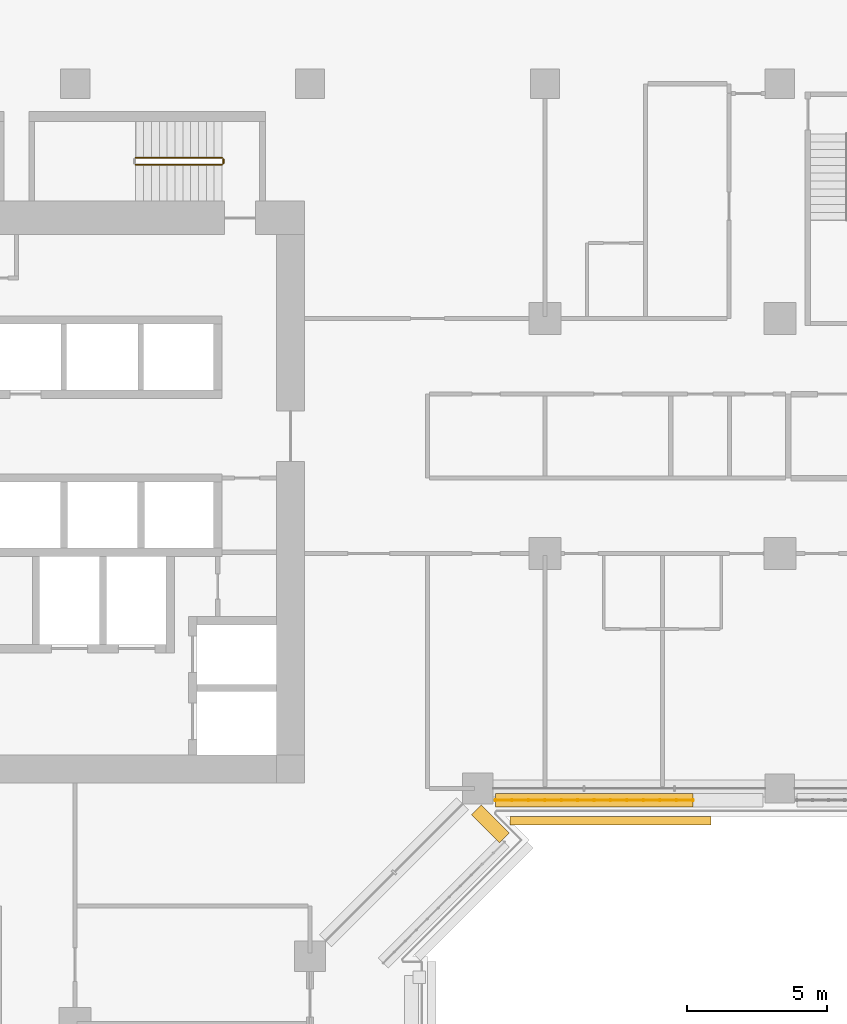
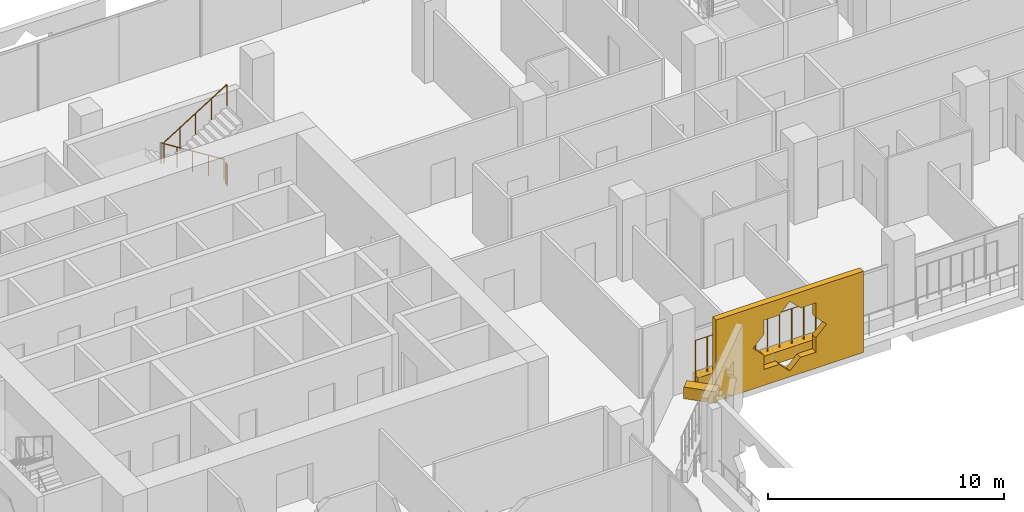
# One storey, part 22 of 25: 4 railings, 3 coverings.
"""IFC4 building model written with IfcOpenShell, lengths in metres."""

from ifc_helpers import new_model, si_unit, direction, frame, origin, origin_2d, place, context, subcontext, project, spatial, polyline, rectangle, circle, outline, extrude, material, material_profile, profile_set, type_object, element, save


model = new_model("IFC4")

# Units and contexts
model_context = context("Model", 3, precision=1e-05, world=origin(), true_north=direction((0.0, 1.0)))
body_context = subcontext(model_context, "Body", "Model", "MODEL_VIEW")
ifc_project = project(units=[si_unit("LENGTHUNIT", "METRE"), si_unit("AREAUNIT", "SQUARE_METRE"), si_unit("VOLUMEUNIT", "CUBIC_METRE"), si_unit("PLANEANGLEUNIT", "RADIAN"), si_unit("MASSUNIT", "GRAM", prefix="KILO")], contexts=[model_context])

# Site, building, storey
site_placement = place(None, origin())
site = spatial("IfcSite", under=ifc_project, at=site_placement, CompositionType="ELEMENT")
building_placement = place(site_placement, origin())
building = spatial("IfcBuilding", under=site, at=building_placement, Name="Kawkab Arch Medical Tower", CompositionType="ELEMENT")
storey_placement = place(building_placement, frame((0.0, 0.0, 140.800048828125)))
storey = spatial("IfcBuildingStorey", under=building, at=storey_placement, Name="L32", CompositionType="ELEMENT", Elevation=140.800048828125)

# Coverings
ifc_material_1 = material(Name="Bronze anodised aluminium mashrabiya panel, eight-point star pattern", Category="aluminium")
ifc_material_profile_1 = material_profile(ifc_material_1, outline(polyline([(-3.60009765625, -2.10009765625), (3.60009765625, -2.10009765625), (3.60009765625, 2.10009765625), (-3.60009765625, 2.10009765625), (-3.60009765625, -2.10009765625)]), holes=[polyline([(1.800048828125, 0.0), (1.272705078125, 0.527099609375), (1.272705078125, 1.272705078125), (0.527099609375, 1.272705078125), (0.0, 1.800048828125), (-0.527099609375, 1.272705078125), (-1.272705078125, 1.272705078125), (-1.272705078125, 0.527099609375), (-1.800048828125, 0.0), (-1.272705078125, -0.527099609375), (-1.272705078125, -1.272705078125), (-0.527099609375, -1.272705078125), (0.0, -1.800048828125), (0.527099609375, -1.272705078125), (1.272705078125, -1.272705078125), (1.272705078125, -0.527099609375), (1.800048828125, 0.0)])]), Name="Mashrabiya panel 7200x4200")
ifc_profile_set_1 = profile_set([ifc_material_profile_1], Name="Bronze anodised aluminium mashrabiya panel, eight-point star pattern")
covering_type_1 = type_object("IfcCoveringType", Name="Mashrabiya panel 7200 x 4200", PredefinedType="USERDEFINED", material=ifc_profile_set_1)
covering_1_placement = place(storey_placement, frame((35.944580078125, -26.199951171875, 1.699951171875), z_axis=(0.0, -1.0, 0.0), x_axis=(1.0, 0.0, 0.0)))
element("IfcCovering", 1, at=covering_1_placement, inside=storey, type_object=covering_type_1, Name="Mashrabiya panel L32.LOG-01-01.13", ObjectType="SCREEN", PredefinedType="USERDEFINED", context=body_context, shape_type="SweptSolid", body=[
    extrude(outline(polyline([(-3.60009765625, -2.10009765625), (3.60009765625, -2.10009765625), (3.60009765625, 2.10009765625), (-3.60009765625, 2.10009765625), (-3.60009765625, -2.10009765625)]), holes=[polyline([(1.800048828125, 0.0), (1.272705078125, 0.527099609375), (1.272705078125, 1.272705078125), (0.527099609375, 1.272705078125), (0.0, 1.800048828125), (-0.527099609375, 1.272705078125), (-1.272705078125, 1.272705078125), (-1.272705078125, 0.527099609375), (-1.800048828125, 0.0), (-1.272705078125, -0.527099609375), (-1.272705078125, -1.272705078125), (-0.527099609375, -1.272705078125), (0.0, -1.800048828125), (0.527099609375, -1.272705078125), (1.272705078125, -1.272705078125), (1.272705078125, -0.527099609375), (1.800048828125, 0.0)])]), origin(), (0.0, 0.0, 1.0), 0.300048828125),
])
ifc_material_2 = material(Name="Planting soil in a precast trough", Category="concrete")
ifc_material_profile_2 = material_profile(ifc_material_2, rectangle(XDim=0.5, YDim=0.60009765625, at=origin_2d()), Name="Trough 500x600")
ifc_profile_set_2 = profile_set([ifc_material_profile_2], Name="Planting soil in a precast trough")
covering_type_2 = type_object("IfcCoveringType", Name="Planter trough 500 x 600", PredefinedType="USERDEFINED", material=ifc_profile_set_2)
covering_2_placement = place(storey_placement, frame((38.89306640625, -25.6201171875, 0.300048828125), z_axis=(-1.0, 0.0, 0.0), x_axis=(0.0, -1.0, 0.0)))
element("IfcCovering", 2, at=covering_2_placement, inside=storey, type_object=covering_type_2, Name="Planter L32.LOG-01-01.41", ObjectType="PLANTER", PredefinedType="USERDEFINED", context=body_context, shape_type="SweptSolid", body=[
    extrude(rectangle(XDim=0.5, YDim=0.60009765625, at=origin_2d()), origin(), (0.0, 0.0, 1.0), 7.06298828125),
])
covering_3_placement = place(storey_placement, frame((31.14306640625, -25.962890625, 0.300048828125), z_axis=(0.707020805532, -0.707192746389, 0.0), x_axis=(0.707192746389, 0.707020805532, 0.0)))
element("IfcCovering", 3, at=covering_3_placement, inside=storey, type_object=covering_type_2, Name="Planter L32.LOG-01-01.42", ObjectType="PLANTER", PredefinedType="USERDEFINED", context=body_context, shape_type="SweptSolid", body=[
    extrude(rectangle(XDim=0.5, YDim=0.60009765625, at=origin_2d()), origin(), (0.0, 0.0, 1.0), 1.419921875),
])

# Railings
ifc_material_3 = material(Name="Bronze anodised aluminium trellis for climbing plants", Category="aluminium")
railing_type_1 = type_object("IfcRailingType", Name="Planting trellis 2400", PredefinedType="USERDEFINED", material=ifc_material_3)
railing_1_placement = place(storey_placement, frame((38.89306640625, -25.6201171875, 0.0)))
element("IfcRailing", 4, at=railing_1_placement, inside=storey, type_object=railing_type_1, Name="Planting trellis L32.LOG-01-01.41", ObjectType="TRELLIS", PredefinedType="USERDEFINED", context=body_context, shape_type="SweptSolid", body=[
    extrude(circle(Radius=0.01513671875, at=origin_2d()), frame((0.0, 0.0, 2.384765625), z_axis=(-1.0, 0.0, 0.0), x_axis=(0.0, -1.0, 0.0)), (0.0, 0.0, 1.0), 7.06298828125),
    extrude(circle(Radius=0.030029296875, at=origin_2d()), origin(), (0.0, 0.0, 1.0), 2.369873046875),
    extrude(circle(Radius=0.030029296875, at=origin_2d()), frame((-0.588623046875, 0.0, 0.0)), (0.0, 0.0, 1.0), 2.369873046875),
    extrude(circle(Radius=0.030029296875, at=origin_2d()), frame((-1.17724609375, 0.0, 0.0)), (0.0, 0.0, 1.0), 2.369873046875),
    extrude(circle(Radius=0.030029296875, at=origin_2d()), frame((-1.765625, 0.0, 0.0)), (0.0, 0.0, 1.0), 2.369873046875),
    extrude(circle(Radius=0.030029296875, at=origin_2d()), frame((-2.354248046875, 0.0, 0.0)), (0.0, 0.0, 1.0), 2.369873046875),
    extrude(circle(Radius=0.030029296875, at=origin_2d()), frame((-2.94287109375, 0.0, 0.0)), (0.0, 0.0, 1.0), 2.369873046875),
    extrude(circle(Radius=0.030029296875, at=origin_2d()), frame((-3.531494140625, 0.0, 0.0)), (0.0, 0.0, 1.0), 2.369873046875),
    extrude(circle(Radius=0.030029296875, at=origin_2d()), frame((-4.1201171875, 0.0, 0.0)), (0.0, 0.0, 1.0), 2.369873046875),
    extrude(circle(Radius=0.030029296875, at=origin_2d()), frame((-4.708740234375, 0.0, 0.0)), (0.0, 0.0, 1.0), 2.369873046875),
    extrude(circle(Radius=0.030029296875, at=origin_2d()), frame((-5.29736328125, 0.0, 0.0)), (0.0, 0.0, 1.0), 2.369873046875),
    extrude(circle(Radius=0.030029296875, at=origin_2d()), frame((-5.8857421875, 0.0, 0.0)), (0.0, 0.0, 1.0), 2.369873046875),
    extrude(circle(Radius=0.030029296875, at=origin_2d()), frame((-6.474365234375, 0.0, 0.0)), (0.0, 0.0, 1.0), 2.369873046875),
    extrude(circle(Radius=0.030029296875, at=origin_2d()), frame((-7.06298828125, 0.0, 0.0)), (0.0, 0.0, 1.0), 2.369873046875),
])
ifc_material_4 = material(Name="Stainless steel", Category="steel")
railing_type_2 = type_object("IfcRailingType", Name="Stair guard 1100", PredefinedType="GUARDRAIL", material=ifc_material_4)
railing_2_placement = place(storey_placement, frame((22.050048828125, -2.64990234375, 0.175048828125)))
element("IfcRailing", 5, at=railing_2_placement, inside=storey, type_object=railing_type_2, Name="L32 ST4 stair guard 1", PredefinedType="GUARDRAIL", context=body_context, shape_type="SweptSolid", body=[
    extrude(circle(Radius=0.02392578125, at=origin_2d()), frame((0.0, 0.0, 1.076171875), z_axis=(-0.848028513186, 0.0, 0.529950602248), x_axis=(0.0, -1.0, 0.0)), (0.0, 0.0, 1.0), 3.632080078125),
    extrude(circle(Radius=0.02099609375, at=origin_2d()), origin(), (0.0, 0.0, 1.0), 1.052001953125),
    extrude(circle(Radius=0.02099609375, at=origin_2d()), frame((-0.77001953125, 0.0, 0.481201171875)), (0.0, 0.0, 1.0), 1.052001953125),
    extrude(circle(Radius=0.02099609375, at=origin_2d()), frame((-1.5400390625, 0.0, 0.96240234375)), (0.0, 0.0, 1.0), 1.052001953125),
    extrude(circle(Radius=0.02099609375, at=origin_2d()), frame((-2.31005859375, 0.0, 1.443603515625)), (0.0, 0.0, 1.0), 1.052001953125),
    extrude(circle(Radius=0.02099609375, at=origin_2d()), frame((-3.080078125, 0.0, 1.9248046875)), (0.0, 0.0, 1.0), 1.052001953125),
])
railing_3_placement = place(storey_placement, frame((18.969970703125, -2.89990234375, 2.27490234375)))
element("IfcRailing", 6, at=railing_3_placement, inside=storey, type_object=railing_type_2, Name="L32 ST4 stair guard 3", PredefinedType="GUARDRAIL", context=body_context, shape_type="SweptSolid", body=[
    extrude(circle(Radius=0.02392578125, at=origin_2d()), frame((0.0, 0.0, 1.076171875), z_axis=(0.847998304005, 0.0, 0.529998940003), x_axis=(0.0, 1.0, 0.0)), (0.0, 0.0, 1.0), 3.632080078125),
    extrude(circle(Radius=0.02099609375, at=origin_2d()), origin(), (0.0, 0.0, 1.0), 1.052001953125),
    extrude(circle(Radius=0.02099609375, at=origin_2d()), frame((0.77001953125, 0.0, 0.481201171875)), (0.0, 0.0, 1.0), 1.052001953125),
    extrude(circle(Radius=0.02099609375, at=origin_2d()), frame((1.5400390625, 0.0, 0.96240234375)), (0.0, 0.0, 1.0), 1.052001953125),
    extrude(circle(Radius=0.02099609375, at=origin_2d()), frame((2.31005859375, 0.0, 1.44384765625)), (0.0, 0.0, 1.0), 1.052001953125),
    extrude(circle(Radius=0.02099609375, at=origin_2d()), frame((3.080078125, 0.0, 1.925048828125)), (0.0, 0.0, 1.0), 1.052001953125),
])
railing_4_placement = place(storey_placement, frame((22.10009765625, -2.699951171875, 0.0)))
element("IfcRailing", 7, at=railing_4_placement, inside=storey, type_object=railing_type_2, Name="L32 ST4 stair guard 4", PredefinedType="GUARDRAIL", context=body_context, shape_type="SweptSolid", body=[
    extrude(circle(Radius=0.02392578125, at=origin_2d()), frame((0.0, 0.0, 1.076171875), z_axis=(0.0, -1.0, 0.0), x_axis=(1.0, 0.0, 0.0)), (0.0, 0.0, 1.0), 0.150146484375),
    extrude(circle(Radius=0.02099609375, at=origin_2d()), origin(), (0.0, 0.0, 1.0), 1.052001953125),
    extrude(circle(Radius=0.02099609375, at=origin_2d()), frame((0.0, -0.150146484375, 0.0)), (0.0, 0.0, 1.0), 1.052001953125),
])

save(model, "model.ifc")
